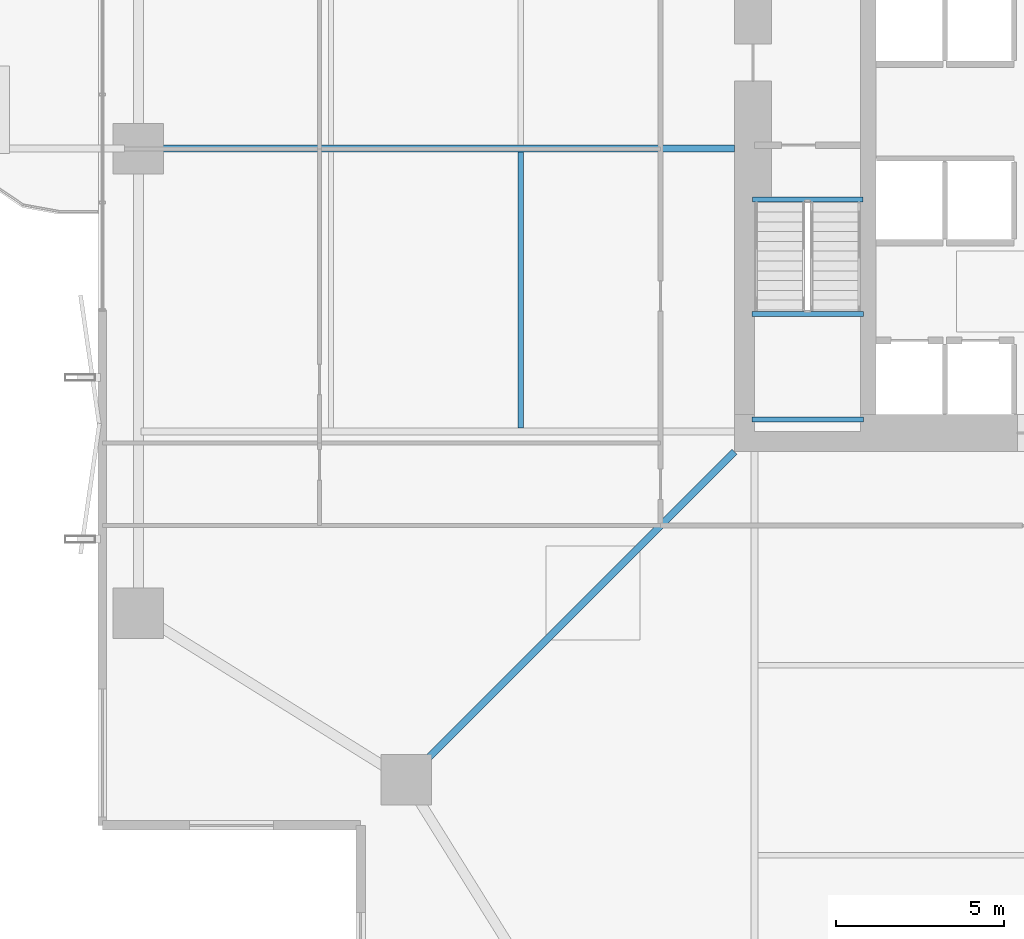
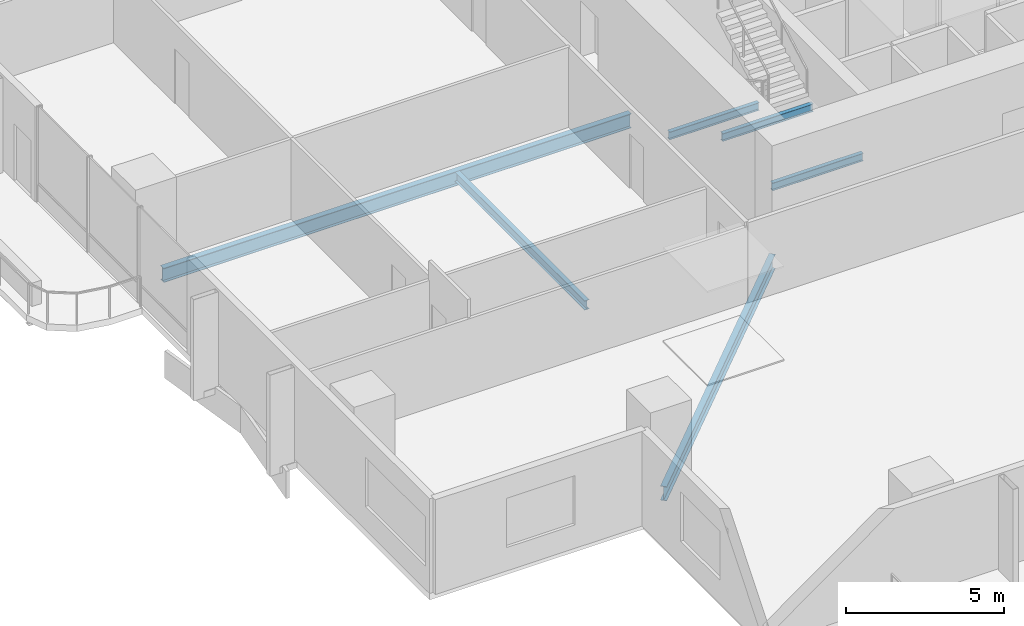
# One storey, part 5 of 23: 6 beams.
"""IFC4 building model written with IfcOpenShell, lengths in metres."""

from ifc_helpers import new_model, si_unit, direction, frame, origin, origin_2d, place, context, subcontext, project, spatial, i_section, extrude, material, material_profile, profile_set, type_object, element, save


model = new_model("IFC4")

# Units and contexts
model_context = context("Model", 3, precision=1e-05, world=origin(), true_north=direction((0.0, 1.0)))
body_context = subcontext(model_context, "Body", "Model", "MODEL_VIEW")
ifc_project = project(units=[si_unit("LENGTHUNIT", "METRE"), si_unit("AREAUNIT", "SQUARE_METRE"), si_unit("VOLUMEUNIT", "CUBIC_METRE"), si_unit("PLANEANGLEUNIT", "RADIAN"), si_unit("MASSUNIT", "GRAM", prefix="KILO")], contexts=[model_context])

# Site, building, storey
site_placement = place(None, origin())
site = spatial("IfcSite", under=ifc_project, at=site_placement, CompositionType="ELEMENT")
building_placement = place(site_placement, origin())
building = spatial("IfcBuilding", under=site, at=building_placement, Name="Belovzor Exchange Tower", CompositionType="ELEMENT")
storey_placement = place(building_placement, frame((0.0, 0.0, 100.199951171875)))
storey = spatial("IfcBuildingStorey", under=building, at=storey_placement, Name="L24", CompositionType="ELEMENT", Elevation=100.199951171875)

# Beams
ifc_material_1 = material(Name="Steel S355", Category="steel")
ifc_material_profile_1 = material_profile(ifc_material_1, i_section(OverallWidth=0.169921875, OverallDepth=0.360107421875, WebThickness=0.008056640625, FlangeThickness=0.0126953125, at=origin_2d()))
ifc_profile_set_1 = profile_set([ifc_material_profile_1], Name="Steel S355")
beam_type_1 = type_object("IfcBeamType", Name="Secondary Infill Floor Joist IPE 360", PredefinedType="BEAM", material=ifc_profile_set_1)
beam_1_placement = place(storey_placement, frame((13.455078125, 20.5048828125, -0.429931640625), z_axis=(0.0, 1.0, 0.0), x_axis=(-1.0, 0.0, 0.0)))
element("IfcBeam", 1, at=beam_1_placement, inside=storey, type_object=beam_type_1, Name="FJ-360 Secondary Infill Floor Joist IPE 360", PredefinedType="BEAM", context=body_context, shape_type="SweptSolid", body=[
    extrude(i_section(OverallWidth=0.169921875, OverallDepth=0.360107421875, WebThickness=0.008056640625, FlangeThickness=0.0126953125, at=origin_2d()), origin(), (0.0, 0.0, 1.0), 8.190185546875),
])
ifc_material_2 = material(Name="Steel S355", Category="steel")
ifc_material_profile_2 = material_profile(ifc_material_2, i_section(OverallWidth=0.14990234375, OverallDepth=0.300048828125, WebThickness=0.007080078125, FlangeThickness=0.0107421875, at=origin_2d()))
ifc_profile_set_2 = profile_set([ifc_material_profile_2], Name="Steel S355")
beam_type_2 = type_object("IfcBeamType", Name="Secondary Trim Floor Joist IPE 300", PredefinedType="BEAM", material=ifc_profile_set_2)
for number, where, z_axis, x_axis, name in (
    (2, (20.320068359375, 23.889892578125, 1.60009765625), (1.0, 0.0, 0.0), (0.0, 1.0, 0.0), "FJ-300 Secondary Trim Floor Joist IPE 300"),
    (3, (20.320068359375, 20.75, 1.60009765625), (1.0, 0.0, 0.0), (0.0, 1.0, 0.0), "FJ-300 Secondary Trim Floor Joist IPE 300"),
):
    element("IfcBeam", number, at=place(storey_placement, frame(where, z_axis=z_axis, x_axis=x_axis)), inside=storey, type_object=beam_type_2, Name=name, PredefinedType="BEAM", context=body_context, shape_type="SweptSolid", body=[
        extrude(i_section(OverallWidth=0.14990234375, OverallDepth=0.300048828125, WebThickness=0.007080078125, FlangeThickness=0.0107421875, at=origin_2d()), origin(), (0.0, 0.0, 1.0), 3.309814453125),
    ])
beam_2_placement = place(storey_placement, frame((20.340087890625, 27.280029296875, -0.39990234375), z_axis=(1.0, 0.0, 0.0), x_axis=(0.0, 1.0, 0.0)))
element("IfcBeam", 4, at=beam_2_placement, inside=storey, type_object=beam_type_2, Name="FJ-300 Secondary Trim Floor Joist IPE 300", PredefinedType="BEAM", context=body_context, shape_type="SweptSolid", body=[
    extrude(i_section(OverallWidth=0.14990234375, OverallDepth=0.300048828125, WebThickness=0.007080078125, FlangeThickness=0.0107421875, at=origin_2d()), origin(), (0.0, 0.0, 1.0), 3.27001953125),
])
ifc_material_3 = material(Name="Steel S355", Category="steel")
ifc_material_profile_3 = material_profile(ifc_material_3, i_section(OverallWidth=0.2099609375, OverallDepth=0.550048828125, WebThickness=0.010986328125, FlangeThickness=0.01708984375, at=origin_2d()))
ifc_profile_set_3 = profile_set([ifc_material_profile_3], Name="Steel S355")
beam_type_3 = type_object("IfcBeamType", Name="Zone 1 Radial Composite Floor Beam IPE 550", PredefinedType="BEAM", material=ifc_profile_set_3)
beam_3_placement = place(storey_placement, frame((19.800048828125, 28.800048828125, -0.52490234375), z_axis=(-1.0, 0.0, 0.0), x_axis=(0.0, -1.0, 0.0)))
element("IfcBeam", 5, at=beam_3_placement, inside=storey, type_object=beam_type_3, Name="FB-550 Zone 1 Radial Composite Floor Beam IPE 550", PredefinedType="BEAM", context=body_context, shape_type="SweptSolid", body=[
    extrude(i_section(OverallWidth=0.2099609375, OverallDepth=0.550048828125, WebThickness=0.010986328125, FlangeThickness=0.01708984375, at=origin_2d()), origin(), (0.0, 0.0, 1.0), 17.0400390625),
])
beam_4_placement = place(storey_placement, frame((19.800048828125, 19.800048828125, -0.52490234375), z_axis=(-0.707106781187, -0.707106781187, 0.0), x_axis=(0.707106781187, -0.707106781187, 0.0)))
element("IfcBeam", 6, at=beam_4_placement, inside=storey, type_object=beam_type_3, Name="FB-550 Zone 1 Radial Composite Floor Beam IPE 550", PredefinedType="BEAM", context=body_context, shape_type="SweptSolid", body=[
    extrude(i_section(OverallWidth=0.2099609375, OverallDepth=0.550048828125, WebThickness=0.010986328125, FlangeThickness=0.01708984375, at=origin_2d()), origin(), (0.0, 0.0, 1.0), 13.25830078125),
])

save(model, "model.ifc")
